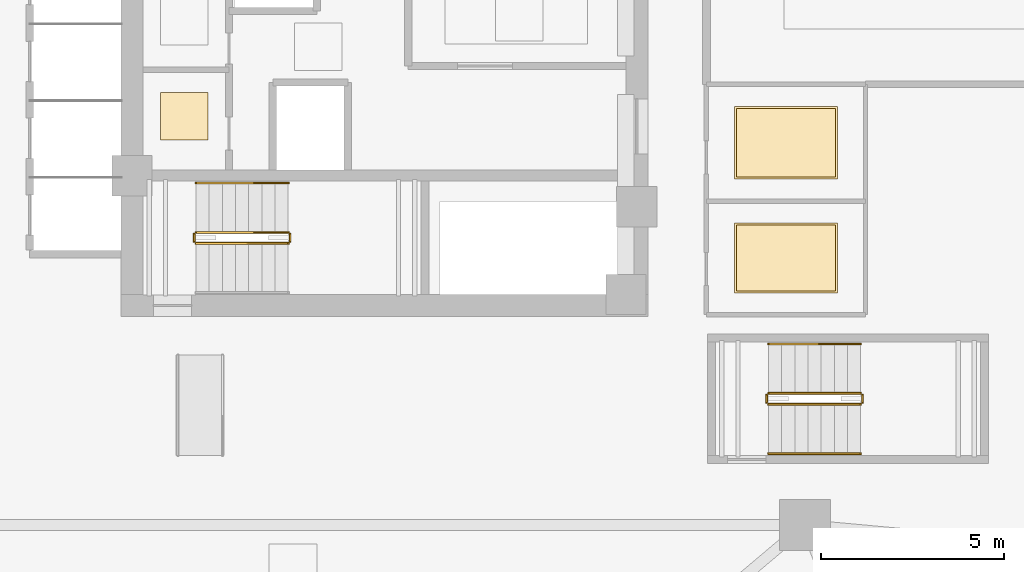
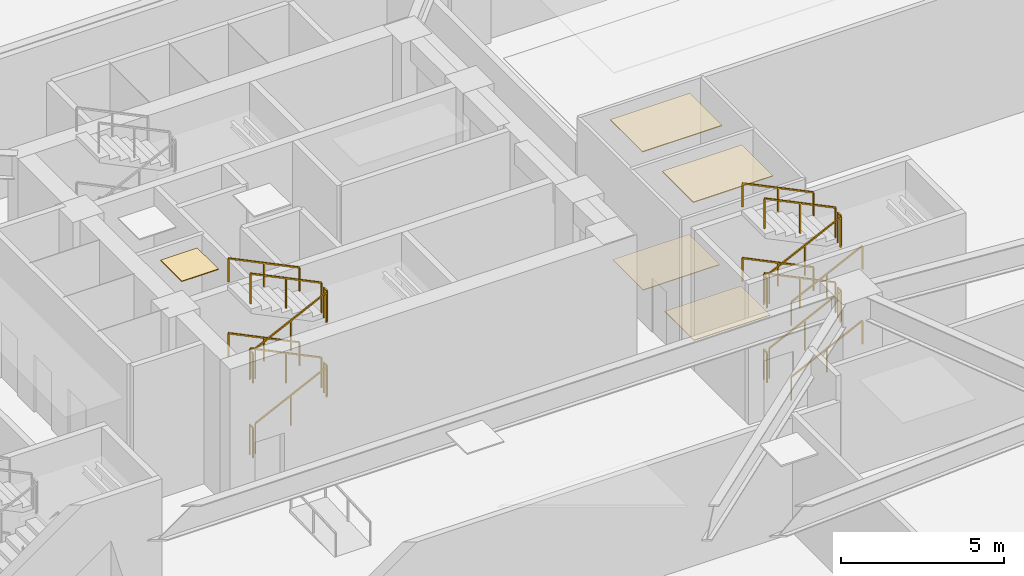
# One storey, part 20 of 26: 22 railings, 5 coverings.
"""IFC4 building model written with IfcOpenShell, lengths in metres."""

from ifc_helpers import new_model, si_unit, direction, frame, origin, origin_2d, place, context, subcontext, project, spatial, polyline, rectangle, outline, extrude, material, layer, layer_set, type_object, element, save


model = new_model("IFC4")

# Units and contexts
model_context = context("Model", 3, precision=1e-05, world=origin(), true_north=direction((0.0, 1.0)))
body_context = subcontext(model_context, "Body", "Model", "MODEL_VIEW")
ifc_project = project(units=[si_unit("LENGTHUNIT", "METRE"), si_unit("AREAUNIT", "SQUARE_METRE"), si_unit("VOLUMEUNIT", "CUBIC_METRE"), si_unit("PLANEANGLEUNIT", "RADIAN"), si_unit("MASSUNIT", "GRAM", prefix="KILO")], contexts=[model_context])

# Site, building, storey
site_placement = place(None, origin())
site = spatial("IfcSite", under=ifc_project, at=site_placement, CompositionType="ELEMENT")
building_placement = place(site_placement, origin())
building = spatial("IfcBuilding", under=site, at=building_placement, Name="Tavelor Broadcast Tower", CompositionType="ELEMENT")
storey_placement = place(building_placement, frame((0.0, 0.0, 5.800048828125)))
storey = spatial("IfcBuildingStorey", under=building, at=storey_placement, Name="L01", CompositionType="ELEMENT", Elevation=5.800048828125)

# Railings
ifc_material_1 = material(Name="Steel S355", Category="steel")
railing_type_1 = type_object("IfcRailingType", Name="Continuous Brushed Stainless Handrail 900 mm", PredefinedType="HANDRAIL", material=ifc_material_1)
railing_1_placement = place(storey_placement, frame((47.3701171875, 41.85009765625, 1.574951171875)))
element("IfcRailing", 1, at=railing_1_placement, inside=storey, type_object=railing_type_1, Name="L01 ST2 stair handrail 2", PredefinedType="HANDRAIL", context=body_context, shape_type="SweptSolid", body=[
    extrude(rectangle(XDim=0.048095703125, YDim=0.048095703125, at=origin_2d()), frame((0.0, 0.0, 0.8759765625), z_axis=(-0.899355482384, 0.0, 0.437218156423), x_axis=(0.0, -1.0, 0.0)), (0.0, 0.0, 1.0), 2.802001953125),
    extrude(rectangle(XDim=0.0419921875, YDim=0.0419921875, at=origin_2d()), origin(), (0.0, 0.0, 1.0), 0.851806640625),
    extrude(rectangle(XDim=0.0419921875, YDim=0.0419921875, at=origin_2d()), frame((-1.260009765625, 0.0, 0.612548828125)), (0.0, 0.0, 1.0), 0.851806640625),
    extrude(rectangle(XDim=0.0419921875, YDim=0.0419921875, at=origin_2d()), frame((-2.52001953125, 0.0, 1.22509765625)), (0.0, 0.0, 1.0), 0.851806640625),
])
railing_2_placement = place(storey_placement, frame((47.3701171875, 41.85009765625, 4.375)))
element("IfcRailing", 2, at=railing_2_placement, inside=storey, type_object=railing_type_1, Name="L01 ST2 stair handrail 4", PredefinedType="HANDRAIL", context=body_context, shape_type="SweptSolid", body=[
    extrude(rectangle(XDim=0.048095703125, YDim=0.048095703125, at=origin_2d()), frame((0.0, 0.0, 0.8759765625), z_axis=(-0.899389741696, 0.0, 0.437147678172), x_axis=(0.0, -1.0, 0.0)), (0.0, 0.0, 1.0), 2.802001953125),
    extrude(rectangle(XDim=0.0419921875, YDim=0.0419921875, at=origin_2d()), origin(), (0.0, 0.0, 1.0), 0.851806640625),
    extrude(rectangle(XDim=0.0419921875, YDim=0.0419921875, at=origin_2d()), frame((-1.260009765625, 0.0, 0.6123046875)), (0.0, 0.0, 1.0), 0.851806640625),
    extrude(rectangle(XDim=0.0419921875, YDim=0.0419921875, at=origin_2d()), frame((-2.52001953125, 0.0, 1.224853515625)), (0.0, 0.0, 1.0), 0.851806640625),
])
railing_3_placement = place(storey_placement, frame((60.5, 34.449951171875, 0.175048828125)))
element("IfcRailing", 3, at=railing_3_placement, inside=storey, type_object=railing_type_1, Name="L01 ST4 stair handrail 1", PredefinedType="HANDRAIL", context=body_context, shape_type="SweptSolid", body=[
    extrude(rectangle(XDim=0.048095703125, YDim=0.048095703125, at=origin_2d()), frame((0.0, 0.0, 0.8759765625), z_axis=(0.899389741696, 0.0, 0.437147678172), x_axis=(0.0, 1.0, 0.0)), (0.0, 0.0, 1.0), 2.802001953125),
    extrude(rectangle(XDim=0.0419921875, YDim=0.0419921875, at=origin_2d()), origin(), (0.0, 0.0, 1.0), 0.851806640625),
    extrude(rectangle(XDim=0.0419921875, YDim=0.0419921875, at=origin_2d()), frame((1.260009765625, 0.0, 0.6123046875)), (0.0, 0.0, 1.0), 0.851806640625),
    extrude(rectangle(XDim=0.0419921875, YDim=0.0419921875, at=origin_2d()), frame((2.52001953125, 0.0, 1.224853515625)), (0.0, 0.0, 1.0), 0.851806640625),
])
railing_4_placement = place(storey_placement, frame((63.02001953125, 37.449951171875, 1.574951171875)))
element("IfcRailing", 4, at=railing_4_placement, inside=storey, type_object=railing_type_1, Name="L01 ST4 stair handrail 2", PredefinedType="HANDRAIL", context=body_context, shape_type="SweptSolid", body=[
    extrude(rectangle(XDim=0.048095703125, YDim=0.048095703125, at=origin_2d()), frame((0.0, 0.0, 0.8759765625), z_axis=(-0.899355482384, 0.0, 0.437218156423), x_axis=(0.0, -1.0, 0.0)), (0.0, 0.0, 1.0), 2.802001953125),
    extrude(rectangle(XDim=0.0419921875, YDim=0.0419921875, at=origin_2d()), origin(), (0.0, 0.0, 1.0), 0.851806640625),
    extrude(rectangle(XDim=0.0419921875, YDim=0.0419921875, at=origin_2d()), frame((-1.260009765625, 0.0, 0.612548828125)), (0.0, 0.0, 1.0), 0.851806640625),
    extrude(rectangle(XDim=0.0419921875, YDim=0.0419921875, at=origin_2d()), frame((-2.52001953125, 0.0, 1.22509765625)), (0.0, 0.0, 1.0), 0.851806640625),
])
railing_5_placement = place(storey_placement, frame((60.5, 34.449951171875, 2.974853515625)))
element("IfcRailing", 5, at=railing_5_placement, inside=storey, type_object=railing_type_1, Name="L01 ST4 stair handrail 3", PredefinedType="HANDRAIL", context=body_context, shape_type="SweptSolid", body=[
    extrude(rectangle(XDim=0.048095703125, YDim=0.048095703125, at=origin_2d()), frame((0.0, 0.0, 0.8759765625), z_axis=(0.899355482384, 0.0, 0.437218156423), x_axis=(0.0, 1.0, 0.0)), (0.0, 0.0, 1.0), 2.802001953125),
    extrude(rectangle(XDim=0.0419921875, YDim=0.0419921875, at=origin_2d()), origin(), (0.0, 0.0, 1.0), 0.851806640625),
    extrude(rectangle(XDim=0.0419921875, YDim=0.0419921875, at=origin_2d()), frame((1.260009765625, 0.0, 0.612548828125)), (0.0, 0.0, 1.0), 0.851806640625),
    extrude(rectangle(XDim=0.0419921875, YDim=0.0419921875, at=origin_2d()), frame((2.52001953125, 0.0, 1.22509765625)), (0.0, 0.0, 1.0), 0.851806640625),
])
railing_6_placement = place(storey_placement, frame((63.02001953125, 37.449951171875, 4.375)))
element("IfcRailing", 6, at=railing_6_placement, inside=storey, type_object=railing_type_1, Name="L01 ST4 stair handrail 4", PredefinedType="HANDRAIL", context=body_context, shape_type="SweptSolid", body=[
    extrude(rectangle(XDim=0.048095703125, YDim=0.048095703125, at=origin_2d()), frame((0.0, 0.0, 0.8759765625), z_axis=(-0.899389741696, 0.0, 0.437147678172), x_axis=(0.0, -1.0, 0.0)), (0.0, 0.0, 1.0), 2.802001953125),
    extrude(rectangle(XDim=0.0419921875, YDim=0.0419921875, at=origin_2d()), origin(), (0.0, 0.0, 1.0), 0.851806640625),
    extrude(rectangle(XDim=0.0419921875, YDim=0.0419921875, at=origin_2d()), frame((-1.260009765625, 0.0, 0.6123046875)), (0.0, 0.0, 1.0), 0.851806640625),
    extrude(rectangle(XDim=0.0419921875, YDim=0.0419921875, at=origin_2d()), frame((-2.52001953125, 0.0, 1.224853515625)), (0.0, 0.0, 1.0), 0.851806640625),
])

# Coverings
ifc_material_2 = material(Name="Architectural Anodized Aluminium", Category="aluminium")
ifc_layer_1 = layer(ifc_material_2, 0.030029296875)
ifc_layer_set_1 = layer_set([ifc_layer_1], Name="Architectural Anodized Aluminium")
covering_type_1 = type_object("IfcCoveringType", Name="Moisture-Resistant Washroom Ceiling 30 mm", PredefinedType="CEILING", material=ifc_layer_set_1)
covering_1_placement = place(storey_placement, frame((0.0, 0.0, 5.219970703125)))
element("IfcCovering", 7, at=covering_1_placement, inside=storey, type_object=covering_type_1, Name="L01 Suspended Acoustic Ceiling 0032", PredefinedType="CEILING", context=body_context, shape_type="SweptSolid", body=[
    extrude(outline(polyline([(43.8798828125, 43.026611328125), (45.179931640625, 43.026611328125), (45.179931640625, 44.326416015625), (43.8798828125, 44.326416015625), (43.8798828125, 43.026611328125)])), origin(), (0.0, 0.0, 1.0), 0.030029296875),
])
covering_2_placement = place(storey_placement, frame((0.0, 0.0, 5.219970703125)))
element("IfcCovering", 8, at=covering_2_placement, inside=storey, type_object=covering_type_1, Name="L01 Suspended Acoustic Ceiling 0050", PredefinedType="CEILING", context=body_context, shape_type="SweptSolid", body=[
    extrude(outline(polyline([(59.5703125, 38.84375), (62.389892578125, 38.84375), (62.389892578125, 40.756103515625), (59.5703125, 40.756103515625), (59.5703125, 38.84375)])), origin(), (0.0, 0.0, 1.0), 0.030029296875),
])
covering_3_placement = place(storey_placement, frame((0.0, 0.0, 5.219970703125)))
element("IfcCovering", 9, at=covering_3_placement, inside=storey, type_object=covering_type_1, Name="L01 Suspended Acoustic Ceiling 0051", PredefinedType="CEILING", context=body_context, shape_type="SweptSolid", body=[
    extrude(outline(polyline([(59.5703125, 41.957763671875), (62.389892578125, 41.957763671875), (62.389892578125, 43.942138671875), (59.5703125, 43.942138671875), (59.5703125, 41.957763671875)])), origin(), (0.0, 0.0, 1.0), 0.030029296875),
])
ifc_material_3 = material(Name="Slip-Resistant Porcelain Tile")
ifc_layer_2 = layer(ifc_material_3, 0.02490234375)
ifc_layer_set_2 = layer_set([ifc_layer_2], Name="Slip-Resistant Porcelain Tile")
covering_type_2 = type_object("IfcCoveringType", Name="Slip-Resistant Porcelain Wet-Area Floor Tile 25 mm", PredefinedType="FLOORING", material=ifc_layer_set_2)
covering_4_placement = place(storey_placement, origin())
element("IfcCovering", 10, at=covering_4_placement, inside=storey, type_object=covering_type_2, Name="L01 Broadcast Floor Finish 0020", PredefinedType="FLOORING", context=body_context, shape_type="SweptSolid", body=[
    extrude(outline(polyline([(59.627685546875, 38.9013671875), (62.332275390625, 38.9013671875), (62.332275390625, 40.698486328125), (59.627685546875, 40.698486328125), (59.627685546875, 38.9013671875)])), origin(), (0.0, 0.0, 1.0), 0.02490234375),
])
covering_5_placement = place(storey_placement, origin())
element("IfcCovering", 11, at=covering_5_placement, inside=storey, type_object=covering_type_2, Name="L01 Broadcast Floor Finish 0021", PredefinedType="FLOORING", context=body_context, shape_type="SweptSolid", body=[
    extrude(outline(polyline([(59.627685546875, 42.015380859375), (62.332275390625, 42.015380859375), (62.332275390625, 43.884521484375), (59.627685546875, 43.884521484375), (59.627685546875, 42.015380859375)])), origin(), (0.0, 0.0, 1.0), 0.02490234375),
])

# Railings
railing_type_2 = type_object("IfcRailingType", Name="Stairwell Steel Safety Guardrail 1150 mm", PredefinedType="GUARDRAIL", material=ifc_material_1)
railing_7_placement = place(storey_placement, frame((44.85009765625, 40.199951171875, 0.175048828125)))
element("IfcRailing", 12, at=railing_7_placement, inside=storey, type_object=railing_type_2, Name="L01 ST2 stair guard 1", PredefinedType="GUARDRAIL", context=body_context, shape_type="SweptSolid", body=[
    extrude(rectangle(XDim=0.048095703125, YDim=0.048095703125, at=origin_2d()), frame((0.0, 0.0, 1.1259765625), z_axis=(0.899389741696, 0.0, 0.437147678172), x_axis=(0.0, 1.0, 0.0)), (0.0, 0.0, 1.0), 2.802001953125),
    extrude(rectangle(XDim=0.0419921875, YDim=0.0419921875, at=origin_2d()), origin(), (0.0, 0.0, 1.0), 1.101806640625),
    extrude(rectangle(XDim=0.0419921875, YDim=0.0419921875, at=origin_2d()), frame((1.260009765625, 0.0, 0.6123046875)), (0.0, 0.0, 1.0), 1.101806640625),
    extrude(rectangle(XDim=0.0419921875, YDim=0.0419921875, at=origin_2d()), frame((2.52001953125, 0.0, 1.224853515625)), (0.0, 0.0, 1.0), 1.101806640625),
])
railing_8_placement = place(storey_placement, frame((47.419921875, 40.25, 1.39990234375)))
element("IfcRailing", 13, at=railing_8_placement, inside=storey, type_object=railing_type_2, Name="L01 ST2 stair guard 2", PredefinedType="GUARDRAIL", context=body_context, shape_type="SweptSolid", body=[
    extrude(rectangle(XDim=0.048095703125, YDim=0.048095703125, at=origin_2d()), frame((0.0, 0.0, 1.1259765625), z_axis=(0.0, 1.0, 0.0), x_axis=(-1.0, 0.0, 0.0)), (0.0, 0.0, 1.0), 0.199951171875),
    extrude(rectangle(XDim=0.0419921875, YDim=0.0419921875, at=origin_2d()), origin(), (0.0, 0.0, 1.0), 1.101806640625),
    extrude(rectangle(XDim=0.0419921875, YDim=0.0419921875, at=origin_2d()), frame((0.0, 0.199951171875, 0.0)), (0.0, 0.0, 1.0), 1.101806640625),
])
railing_9_placement = place(storey_placement, frame((47.3701171875, 40.5, 1.574951171875)))
element("IfcRailing", 14, at=railing_9_placement, inside=storey, type_object=railing_type_2, Name="L01 ST2 stair guard 3", PredefinedType="GUARDRAIL", context=body_context, shape_type="SweptSolid", body=[
    extrude(rectangle(XDim=0.048095703125, YDim=0.048095703125, at=origin_2d()), frame((0.0, 0.0, 1.1259765625), z_axis=(-0.899355482384, 0.0, 0.437218156423), x_axis=(0.0, -1.0, 0.0)), (0.0, 0.0, 1.0), 2.802001953125),
    extrude(rectangle(XDim=0.0419921875, YDim=0.0419921875, at=origin_2d()), origin(), (0.0, 0.0, 1.0), 1.101806640625),
    extrude(rectangle(XDim=0.0419921875, YDim=0.0419921875, at=origin_2d()), frame((-1.260009765625, 0.0, 0.612548828125)), (0.0, 0.0, 1.0), 1.101806640625),
    extrude(rectangle(XDim=0.0419921875, YDim=0.0419921875, at=origin_2d()), frame((-2.52001953125, 0.0, 1.22509765625)), (0.0, 0.0, 1.0), 1.101806640625),
])
railing_10_placement = place(storey_placement, frame((44.800048828125, 40.25, 2.800048828125)))
element("IfcRailing", 15, at=railing_10_placement, inside=storey, type_object=railing_type_2, Name="L01 ST2 stair guard 4", PredefinedType="GUARDRAIL", context=body_context, shape_type="SweptSolid", body=[
    extrude(rectangle(XDim=0.048095703125, YDim=0.048095703125, at=origin_2d()), frame((0.0, 0.0, 1.1259765625), z_axis=(0.0, 1.0, 0.0), x_axis=(-1.0, 0.0, 0.0)), (0.0, 0.0, 1.0), 0.199951171875),
    extrude(rectangle(XDim=0.0419921875, YDim=0.0419921875, at=origin_2d()), origin(), (0.0, 0.0, 1.0), 1.101806640625),
    extrude(rectangle(XDim=0.0419921875, YDim=0.0419921875, at=origin_2d()), frame((0.0, 0.199951171875, 0.0)), (0.0, 0.0, 1.0), 1.101806640625),
])
railing_11_placement = place(storey_placement, frame((44.85009765625, 40.199951171875, 2.974853515625)))
element("IfcRailing", 16, at=railing_11_placement, inside=storey, type_object=railing_type_2, Name="L01 ST2 stair guard 5", PredefinedType="GUARDRAIL", context=body_context, shape_type="SweptSolid", body=[
    extrude(rectangle(XDim=0.048095703125, YDim=0.048095703125, at=origin_2d()), frame((0.0, 0.0, 1.1259765625), z_axis=(0.899355482384, 0.0, 0.437218156423), x_axis=(0.0, 1.0, 0.0)), (0.0, 0.0, 1.0), 2.802001953125),
    extrude(rectangle(XDim=0.0419921875, YDim=0.0419921875, at=origin_2d()), origin(), (0.0, 0.0, 1.0), 1.101806640625),
    extrude(rectangle(XDim=0.0419921875, YDim=0.0419921875, at=origin_2d()), frame((1.260009765625, 0.0, 0.612548828125)), (0.0, 0.0, 1.0), 1.101806640625),
    extrude(rectangle(XDim=0.0419921875, YDim=0.0419921875, at=origin_2d()), frame((2.52001953125, 0.0, 1.22509765625)), (0.0, 0.0, 1.0), 1.101806640625),
])
railing_12_placement = place(storey_placement, frame((47.419921875, 40.25, 4.199951171875)))
element("IfcRailing", 17, at=railing_12_placement, inside=storey, type_object=railing_type_2, Name="L01 ST2 stair guard 6", PredefinedType="GUARDRAIL", context=body_context, shape_type="SweptSolid", body=[
    extrude(rectangle(XDim=0.048095703125, YDim=0.048095703125, at=origin_2d()), frame((0.0, 0.0, 1.1259765625), z_axis=(0.0, 1.0, 0.0), x_axis=(-1.0, 0.0, 0.0)), (0.0, 0.0, 1.0), 0.199951171875),
    extrude(rectangle(XDim=0.0419921875, YDim=0.0419921875, at=origin_2d()), origin(), (0.0, 0.0, 1.0), 1.101806640625),
    extrude(rectangle(XDim=0.0419921875, YDim=0.0419921875, at=origin_2d()), frame((0.0, 0.199951171875, 0.0)), (0.0, 0.0, 1.0), 1.101806640625),
])
railing_13_placement = place(storey_placement, frame((47.3701171875, 40.5, 4.375)))
element("IfcRailing", 18, at=railing_13_placement, inside=storey, type_object=railing_type_2, Name="L01 ST2 stair guard 7", PredefinedType="GUARDRAIL", context=body_context, shape_type="SweptSolid", body=[
    extrude(rectangle(XDim=0.048095703125, YDim=0.048095703125, at=origin_2d()), frame((0.0, 0.0, 1.1259765625), z_axis=(-0.899389741696, 0.0, 0.437147678172), x_axis=(0.0, -1.0, 0.0)), (0.0, 0.0, 1.0), 2.802001953125),
    extrude(rectangle(XDim=0.0419921875, YDim=0.0419921875, at=origin_2d()), origin(), (0.0, 0.0, 1.0), 1.101806640625),
    extrude(rectangle(XDim=0.0419921875, YDim=0.0419921875, at=origin_2d()), frame((-1.260009765625, 0.0, 0.6123046875)), (0.0, 0.0, 1.0), 1.101806640625),
    extrude(rectangle(XDim=0.0419921875, YDim=0.0419921875, at=origin_2d()), frame((-2.52001953125, 0.0, 1.224853515625)), (0.0, 0.0, 1.0), 1.101806640625),
])
railing_14_placement = place(storey_placement, frame((44.800048828125, 40.25, 0.0)))
element("IfcRailing", 19, at=railing_14_placement, inside=storey, type_object=railing_type_2, Name="L01 ST2 stair guard 8", PredefinedType="GUARDRAIL", context=body_context, shape_type="SweptSolid", body=[
    extrude(rectangle(XDim=0.048095703125, YDim=0.048095703125, at=origin_2d()), frame((0.0, 0.0, 1.1259765625), z_axis=(0.0, 1.0, 0.0), x_axis=(-1.0, 0.0, 0.0)), (0.0, 0.0, 1.0), 0.199951171875),
    extrude(rectangle(XDim=0.0419921875, YDim=0.0419921875, at=origin_2d()), origin(), (0.0, 0.0, 1.0), 1.101806640625),
    extrude(rectangle(XDim=0.0419921875, YDim=0.0419921875, at=origin_2d()), frame((0.0, 0.199951171875, 0.0)), (0.0, 0.0, 1.0), 1.101806640625),
])
railing_15_placement = place(storey_placement, frame((60.5, 35.800048828125, 0.175048828125)))
element("IfcRailing", 20, at=railing_15_placement, inside=storey, type_object=railing_type_2, Name="L01 ST4 stair guard 1", PredefinedType="GUARDRAIL", context=body_context, shape_type="SweptSolid", body=[
    extrude(rectangle(XDim=0.048095703125, YDim=0.048095703125, at=origin_2d()), frame((0.0, 0.0, 1.1259765625), z_axis=(0.899389741696, 0.0, 0.437147678172), x_axis=(0.0, 1.0, 0.0)), (0.0, 0.0, 1.0), 2.802001953125),
    extrude(rectangle(XDim=0.0419921875, YDim=0.0419921875, at=origin_2d()), origin(), (0.0, 0.0, 1.0), 1.101806640625),
    extrude(rectangle(XDim=0.0419921875, YDim=0.0419921875, at=origin_2d()), frame((1.260009765625, 0.0, 0.6123046875)), (0.0, 0.0, 1.0), 1.101806640625),
    extrude(rectangle(XDim=0.0419921875, YDim=0.0419921875, at=origin_2d()), frame((2.52001953125, 0.0, 1.224853515625)), (0.0, 0.0, 1.0), 1.101806640625),
])
railing_16_placement = place(storey_placement, frame((63.070068359375, 35.85009765625, 1.39990234375)))
element("IfcRailing", 21, at=railing_16_placement, inside=storey, type_object=railing_type_2, Name="L01 ST4 stair guard 2", PredefinedType="GUARDRAIL", context=body_context, shape_type="SweptSolid", body=[
    extrude(rectangle(XDim=0.048095703125, YDim=0.048095703125, at=origin_2d()), frame((0.0, 0.0, 1.1259765625), z_axis=(0.0, 1.0, 0.0), x_axis=(-1.0, 0.0, 0.0)), (0.0, 0.0, 1.0), 0.199951171875),
    extrude(rectangle(XDim=0.0419921875, YDim=0.0419921875, at=origin_2d()), origin(), (0.0, 0.0, 1.0), 1.101806640625),
    extrude(rectangle(XDim=0.0419921875, YDim=0.0419921875, at=origin_2d()), frame((0.0, 0.199951171875, 0.0)), (0.0, 0.0, 1.0), 1.101806640625),
])
railing_17_placement = place(storey_placement, frame((63.02001953125, 36.10009765625, 1.574951171875)))
element("IfcRailing", 22, at=railing_17_placement, inside=storey, type_object=railing_type_2, Name="L01 ST4 stair guard 3", PredefinedType="GUARDRAIL", context=body_context, shape_type="SweptSolid", body=[
    extrude(rectangle(XDim=0.048095703125, YDim=0.048095703125, at=origin_2d()), frame((0.0, 0.0, 1.1259765625), z_axis=(-0.899355482384, 0.0, 0.437218156423), x_axis=(0.0, -1.0, 0.0)), (0.0, 0.0, 1.0), 2.802001953125),
    extrude(rectangle(XDim=0.0419921875, YDim=0.0419921875, at=origin_2d()), origin(), (0.0, 0.0, 1.0), 1.101806640625),
    extrude(rectangle(XDim=0.0419921875, YDim=0.0419921875, at=origin_2d()), frame((-1.260009765625, 0.0, 0.612548828125)), (0.0, 0.0, 1.0), 1.101806640625),
    extrude(rectangle(XDim=0.0419921875, YDim=0.0419921875, at=origin_2d()), frame((-2.52001953125, 0.0, 1.22509765625)), (0.0, 0.0, 1.0), 1.101806640625),
])
railing_18_placement = place(storey_placement, frame((60.449951171875, 35.85009765625, 2.800048828125)))
element("IfcRailing", 23, at=railing_18_placement, inside=storey, type_object=railing_type_2, Name="L01 ST4 stair guard 4", PredefinedType="GUARDRAIL", context=body_context, shape_type="SweptSolid", body=[
    extrude(rectangle(XDim=0.048095703125, YDim=0.048095703125, at=origin_2d()), frame((0.0, 0.0, 1.1259765625), z_axis=(0.0, 1.0, 0.0), x_axis=(-1.0, 0.0, 0.0)), (0.0, 0.0, 1.0), 0.199951171875),
    extrude(rectangle(XDim=0.0419921875, YDim=0.0419921875, at=origin_2d()), origin(), (0.0, 0.0, 1.0), 1.101806640625),
    extrude(rectangle(XDim=0.0419921875, YDim=0.0419921875, at=origin_2d()), frame((0.0, 0.199951171875, 0.0)), (0.0, 0.0, 1.0), 1.101806640625),
])
railing_19_placement = place(storey_placement, frame((60.5, 35.800048828125, 2.974853515625)))
element("IfcRailing", 24, at=railing_19_placement, inside=storey, type_object=railing_type_2, Name="L01 ST4 stair guard 5", PredefinedType="GUARDRAIL", context=body_context, shape_type="SweptSolid", body=[
    extrude(rectangle(XDim=0.048095703125, YDim=0.048095703125, at=origin_2d()), frame((0.0, 0.0, 1.1259765625), z_axis=(0.899355482384, 0.0, 0.437218156423), x_axis=(0.0, 1.0, 0.0)), (0.0, 0.0, 1.0), 2.802001953125),
    extrude(rectangle(XDim=0.0419921875, YDim=0.0419921875, at=origin_2d()), origin(), (0.0, 0.0, 1.0), 1.101806640625),
    extrude(rectangle(XDim=0.0419921875, YDim=0.0419921875, at=origin_2d()), frame((1.260009765625, 0.0, 0.612548828125)), (0.0, 0.0, 1.0), 1.101806640625),
    extrude(rectangle(XDim=0.0419921875, YDim=0.0419921875, at=origin_2d()), frame((2.52001953125, 0.0, 1.22509765625)), (0.0, 0.0, 1.0), 1.101806640625),
])
railing_20_placement = place(storey_placement, frame((63.070068359375, 35.85009765625, 4.199951171875)))
element("IfcRailing", 25, at=railing_20_placement, inside=storey, type_object=railing_type_2, Name="L01 ST4 stair guard 6", PredefinedType="GUARDRAIL", context=body_context, shape_type="SweptSolid", body=[
    extrude(rectangle(XDim=0.048095703125, YDim=0.048095703125, at=origin_2d()), frame((0.0, 0.0, 1.1259765625), z_axis=(0.0, 1.0, 0.0), x_axis=(-1.0, 0.0, 0.0)), (0.0, 0.0, 1.0), 0.199951171875),
    extrude(rectangle(XDim=0.0419921875, YDim=0.0419921875, at=origin_2d()), origin(), (0.0, 0.0, 1.0), 1.101806640625),
    extrude(rectangle(XDim=0.0419921875, YDim=0.0419921875, at=origin_2d()), frame((0.0, 0.199951171875, 0.0)), (0.0, 0.0, 1.0), 1.101806640625),
])
railing_21_placement = place(storey_placement, frame((63.02001953125, 36.10009765625, 4.375)))
element("IfcRailing", 26, at=railing_21_placement, inside=storey, type_object=railing_type_2, Name="L01 ST4 stair guard 7", PredefinedType="GUARDRAIL", context=body_context, shape_type="SweptSolid", body=[
    extrude(rectangle(XDim=0.048095703125, YDim=0.048095703125, at=origin_2d()), frame((0.0, 0.0, 1.1259765625), z_axis=(-0.899389741696, 0.0, 0.437147678172), x_axis=(0.0, -1.0, 0.0)), (0.0, 0.0, 1.0), 2.802001953125),
    extrude(rectangle(XDim=0.0419921875, YDim=0.0419921875, at=origin_2d()), origin(), (0.0, 0.0, 1.0), 1.101806640625),
    extrude(rectangle(XDim=0.0419921875, YDim=0.0419921875, at=origin_2d()), frame((-1.260009765625, 0.0, 0.6123046875)), (0.0, 0.0, 1.0), 1.101806640625),
    extrude(rectangle(XDim=0.0419921875, YDim=0.0419921875, at=origin_2d()), frame((-2.52001953125, 0.0, 1.224853515625)), (0.0, 0.0, 1.0), 1.101806640625),
])
railing_22_placement = place(storey_placement, frame((60.449951171875, 35.85009765625, 0.0)))
element("IfcRailing", 27, at=railing_22_placement, inside=storey, type_object=railing_type_2, Name="L01 ST4 stair guard 8", PredefinedType="GUARDRAIL", context=body_context, shape_type="SweptSolid", body=[
    extrude(rectangle(XDim=0.048095703125, YDim=0.048095703125, at=origin_2d()), frame((0.0, 0.0, 1.1259765625), z_axis=(0.0, 1.0, 0.0), x_axis=(-1.0, 0.0, 0.0)), (0.0, 0.0, 1.0), 0.199951171875),
    extrude(rectangle(XDim=0.0419921875, YDim=0.0419921875, at=origin_2d()), origin(), (0.0, 0.0, 1.0), 1.101806640625),
    extrude(rectangle(XDim=0.0419921875, YDim=0.0419921875, at=origin_2d()), frame((0.0, 0.199951171875, 0.0)), (0.0, 0.0, 1.0), 1.101806640625),
])

save(model, "model.ifc")
